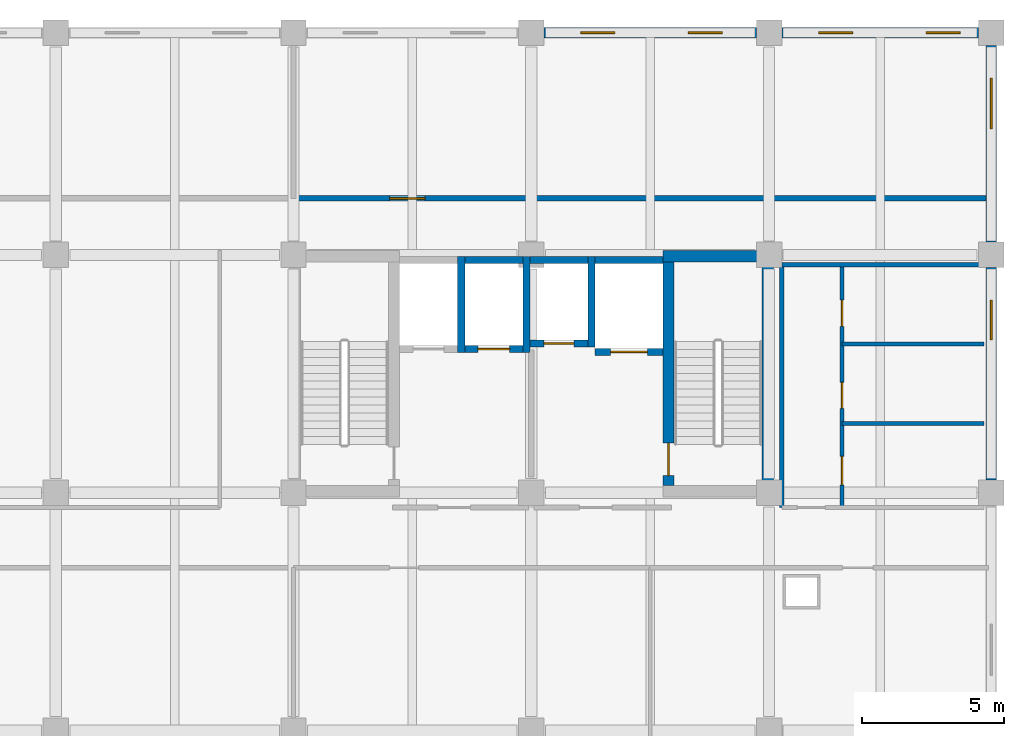
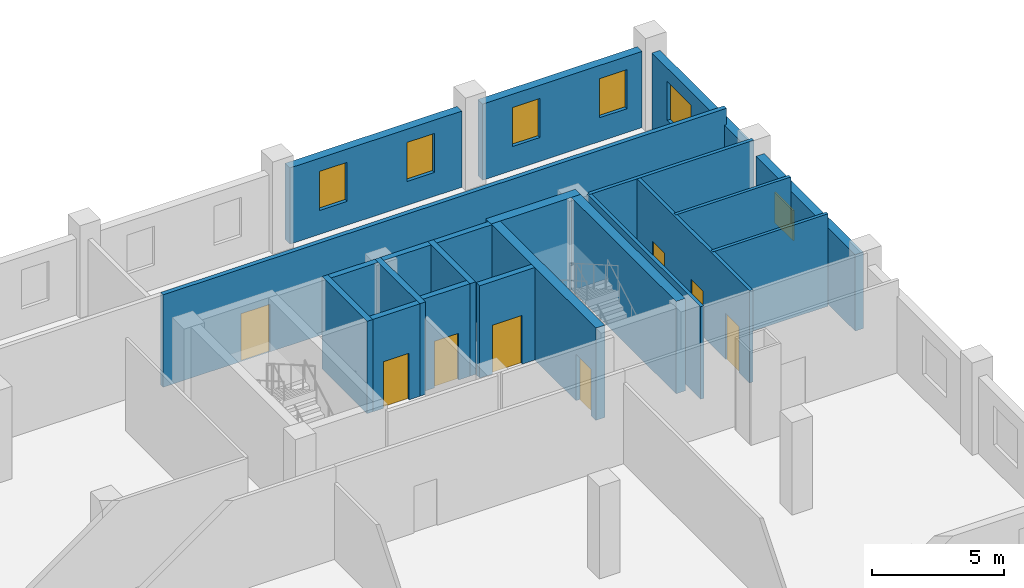
# One storey, part 33 of 38: 22 walls, 8 doors, 6 windows, 14 openings.
"""IFC4 building model written with IfcOpenShell, lengths in metres."""

from ifc_helpers import new_model, si_unit, direction, frame, frame_2d, origin, place, context, subcontext, project, spatial, rectangle, extrude, material, layer, layer_set, type_object, element, fill, save


model = new_model("IFC4")

# Units and contexts
model_context = context("Model", 3, precision=1e-05, world=origin(), true_north=direction((0.0, 1.0)))
body_context = subcontext(model_context, "Body", "Model", "MODEL_VIEW")
ifc_project = project(units=[si_unit("LENGTHUNIT", "METRE"), si_unit("AREAUNIT", "SQUARE_METRE"), si_unit("VOLUMEUNIT", "CUBIC_METRE"), si_unit("PLANEANGLEUNIT", "RADIAN"), si_unit("MASSUNIT", "GRAM", prefix="KILO")], contexts=[model_context])

# Site, building, storey
site_placement = place(None, origin())
site = spatial("IfcSite", under=ifc_project, at=site_placement, CompositionType="ELEMENT")
building_placement = place(site_placement, origin())
building = spatial("IfcBuilding", under=site, at=building_placement, Name="Brinegate Botanical Conservatory", CompositionType="ELEMENT")
storey_placement = place(building_placement, frame((0.0, 0.0, 10.199951171875)))
storey = spatial("IfcBuildingStorey", under=building, at=storey_placement, Name="L03", CompositionType="ELEMENT", Elevation=10.199951171875)

# Wall, openings, windows
ifc_material_1 = material(Name="Insulated Minnan red clay brick masonry", Category="masonry")
ifc_layer_1 = layer(ifc_material_1, 0.360107421875, Name="Insulated Minnan red clay brick masonry", Category="masonry")
ifc_layer_set_1 = layer_set([ifc_layer_1], Name="Insulated Minnan red clay brick masonry")
wall_type_1 = type_object("IfcWallType", Name="Wall_EW-360B", PredefinedType="STANDARD", material=ifc_layer_set_1)
wall_1_placement = place(storey_placement, frame((147.64990234375, 111.449951171875, 0.0), z_axis=(0.0, 0.0, 1.0), x_axis=(1.0, 0.0, 0.0)))
wall_1 = element("IfcWall", 1, at=wall_1_placement, inside=storey, type_object=wall_type_1, Name="Herbarium north insulated red-brick wall L03.4", PredefinedType="STANDARD", context=body_context, shape_type="SweptSolid", body=[
    extrude(rectangle(XDim=7.5, YDim=0.360107421875, at=frame_2d((3.75, 0.0))), origin(), (0.0, 0.0, 1.0), 3.510009765625),
])
opening_1_placement = place(wall_1_placement, frame((1.300048828125, 0.0, 1.10009765625)))
opening_1 = element("IfcOpeningElement", 2, at=opening_1_placement, cuts=wall_1, Name="Opening WN-06", PredefinedType="OPENING", context=body_context, shape_type="SweptSolid", body=[
    extrude(rectangle(XDim=1.199951171875, YDim=1.800048828125, at=frame_2d((0.60009765625, 0.89990234375))), frame((0.0, 0.18994140625, 0.0), z_axis=(0.0, -1.0, 0.0), x_axis=(1.0, 0.0, 0.0)), (0.0, 0.0, 1.0), 0.380126953125),
])
opening_2_placement = place(wall_1_placement, frame((5.10009765625, 0.0, 1.10009765625)))
opening_2 = element("IfcOpeningElement", 3, at=opening_2_placement, cuts=wall_1, Name="Opening WN-06", PredefinedType="OPENING", context=body_context, shape_type="SweptSolid", body=[
    extrude(rectangle(XDim=1.199951171875, YDim=1.800048828125, at=frame_2d((0.60009765625, 0.89990234375))), frame((0.0, 0.18994140625, 0.0), z_axis=(0.0, -1.0, 0.0), x_axis=(1.0, 0.0, 0.0)), (0.0, 0.0, 1.0), 0.380126953125),
])
ifc_material_2 = material(Name="Thermally broken aluminium-framed Low-E glass", Category="aluminium")
window_type_1 = type_object("IfcWindowType", Name="Win_WN-06", PartitioningType="SINGLE_PANEL", PredefinedType="WINDOW", material=ifc_material_2)
window_1_placement = place(opening_1_placement, origin())
window_1 = element("IfcWindow", 4, at=window_1_placement, inside=storey, type_object=window_type_1, Name="Herbarium north UV-filtered window L03.4A", OverallHeight=1.800048828125, OverallWidth=1.199951171875, PartitioningType="SINGLE_PANEL", PredefinedType="WINDOW", context=body_context, shape_type="SweptSolid", body=[
    extrude(rectangle(XDim=1.199951171875, YDim=1.800048828125, at=frame_2d((0.60009765625, 0.89990234375))), frame((0.0, 0.030029296875, 0.0), z_axis=(0.0, -1.0, 0.0), x_axis=(1.0, 0.0, 0.0)), (0.0, 0.0, 1.0), 0.06005859375),
])
fill(opening_1, window_1)
window_2_placement = place(opening_2_placement, origin())
window_2 = element("IfcWindow", 5, at=window_2_placement, inside=storey, type_object=window_type_1, Name="Herbarium north UV-filtered window L03.4B", OverallHeight=1.800048828125, OverallWidth=1.199951171875, PartitioningType="SINGLE_PANEL", PredefinedType="WINDOW", context=body_context, shape_type="SweptSolid", body=[
    extrude(rectangle(XDim=1.199951171875, YDim=1.800048828125, at=frame_2d((0.60009765625, 0.89990234375))), frame((0.0, 0.030029296875, 0.0), z_axis=(0.0, -1.0, 0.0), x_axis=(1.0, 0.0, 0.0)), (0.0, 0.0, 1.0), 0.06005859375),
])
fill(opening_2, window_2)

wall_2_placement = place(storey_placement, frame((156.050048828125, 111.449951171875, 0.0), z_axis=(0.0, 0.0, 1.0), x_axis=(1.0, 0.0, 0.0)))
wall_2 = element("IfcWall", 6, at=wall_2_placement, inside=storey, type_object=wall_type_1, Name="Herbarium north insulated red-brick wall L03.5", PredefinedType="STANDARD", context=body_context, shape_type="SweptSolid", body=[
    extrude(rectangle(XDim=6.949951171875, YDim=0.360107421875, at=frame_2d((3.47509765625, 0.0))), origin(), (0.0, 0.0, 1.0), 3.510009765625),
])
opening_3_placement = place(wall_2_placement, frame((1.300048828125, 0.0, 1.10009765625)))
opening_3 = element("IfcOpeningElement", 7, at=opening_3_placement, cuts=wall_2, Name="Opening WN-06", PredefinedType="OPENING", context=body_context, shape_type="SweptSolid", body=[
    extrude(rectangle(XDim=1.199951171875, YDim=1.800048828125, at=frame_2d((0.60009765625, 0.89990234375))), frame((0.0, 0.18994140625, 0.0), z_axis=(0.0, -1.0, 0.0), x_axis=(1.0, 0.0, 0.0)), (0.0, 0.0, 1.0), 0.380126953125),
])
opening_4_placement = place(wall_2_placement, frame((5.10009765625, 0.0, 1.10009765625)))
opening_4 = element("IfcOpeningElement", 8, at=opening_4_placement, cuts=wall_2, Name="Opening WN-06", PredefinedType="OPENING", context=body_context, shape_type="SweptSolid", body=[
    extrude(rectangle(XDim=1.199951171875, YDim=1.800048828125, at=frame_2d((0.60009765625, 0.89990234375))), frame((0.0, 0.18994140625, 0.0), z_axis=(0.0, -1.0, 0.0), x_axis=(1.0, 0.0, 0.0)), (0.0, 0.0, 1.0), 0.380126953125),
])
window_3_placement = place(opening_3_placement, origin())
window_3 = element("IfcWindow", 9, at=window_3_placement, inside=storey, type_object=window_type_1, Name="Herbarium north UV-filtered window L03.5A", OverallHeight=1.800048828125, OverallWidth=1.199951171875, PartitioningType="SINGLE_PANEL", PredefinedType="WINDOW", context=body_context, shape_type="SweptSolid", body=[
    extrude(rectangle(XDim=1.199951171875, YDim=1.800048828125, at=frame_2d((0.60009765625, 0.89990234375))), frame((0.0, 0.030029296875, 0.0), z_axis=(0.0, -1.0, 0.0), x_axis=(1.0, 0.0, 0.0)), (0.0, 0.0, 1.0), 0.06005859375),
])
fill(opening_3, window_3)
window_4_placement = place(opening_4_placement, origin())
window_4 = element("IfcWindow", 10, at=window_4_placement, inside=storey, type_object=window_type_1, Name="Herbarium north UV-filtered window L03.5B", OverallHeight=1.800048828125, OverallWidth=1.199951171875, PartitioningType="SINGLE_PANEL", PredefinedType="WINDOW", context=body_context, shape_type="SweptSolid", body=[
    extrude(rectangle(XDim=1.199951171875, YDim=1.800048828125, at=frame_2d((0.60009765625, 0.89990234375))), frame((0.0, 0.030029296875, 0.0), z_axis=(0.0, -1.0, 0.0), x_axis=(1.0, 0.0, 0.0)), (0.0, 0.0, 1.0), 0.06005859375),
])
fill(opening_4, window_4)

# Wall, opening, window
wall_3_placement = place(storey_placement, frame((163.449951171875, 103.14990234375, 0.0), z_axis=(0.0, 0.0, 1.0), x_axis=(0.0, -1.0, 0.0)))
wall_3 = element("IfcWall", 11, at=wall_3_placement, inside=storey, type_object=wall_type_1, Name="Tower east brick wall L03.3", PredefinedType="STANDARD", context=body_context, shape_type="SweptSolid", body=[
    extrude(rectangle(XDim=7.5, YDim=0.360107421875, at=frame_2d((3.75, 0.0))), origin(), (0.0, 0.0, 1.0), 3.510009765625),
])
opening_5_placement = place(wall_3_placement, frame((1.14990234375, 0.0, 1.10009765625)))
opening_5 = element("IfcOpeningElement", 12, at=opening_5_placement, cuts=wall_3, Name="Opening WN-16", PredefinedType="OPENING", context=body_context, shape_type="SweptSolid", body=[
    extrude(rectangle(XDim=1.39990234375, YDim=1.39990234375, at=frame_2d((0.699951171875, 0.699951171875))), frame((0.0, 0.18994140625, 0.0), z_axis=(0.0, -1.0, 0.0), x_axis=(1.0, 0.0, 0.0)), (0.0, 0.0, 1.0), 0.380126953125),
])
window_type_2 = type_object("IfcWindowType", Name="Win_WN-16", PartitioningType="SINGLE_PANEL", PredefinedType="WINDOW", material=ifc_material_2)
window_5_placement = place(opening_5_placement, origin())
window_5 = element("IfcWindow", 13, at=window_5_placement, inside=storey, type_object=window_type_2, Name="Tower east window L03.3", OverallHeight=1.39990234375, OverallWidth=1.39990234375, PartitioningType="SINGLE_PANEL", PredefinedType="WINDOW", context=body_context, shape_type="SweptSolid", body=[
    extrude(rectangle(XDim=1.39990234375, YDim=1.39990234375, at=frame_2d((0.699951171875, 0.699951171875))), frame((0.0, 0.030029296875, 0.0), z_axis=(0.0, -1.0, 0.0), x_axis=(1.0, 0.0, 0.0)), (0.0, 0.0, 1.0), 0.06005859375),
])
fill(opening_5, window_5)

wall_4_placement = place(storey_placement, frame((163.449951171875, 111.0, 0.0), z_axis=(0.0, 0.0, 1.0), x_axis=(0.0, -1.0, 0.0)))
wall_4 = element("IfcWall", 14, at=wall_4_placement, inside=storey, type_object=wall_type_1, Name="Tower east brick wall L03.4", PredefinedType="STANDARD", context=body_context, shape_type="SweptSolid", body=[
    extrude(rectangle(XDim=6.949951171875, YDim=0.360107421875, at=frame_2d((3.47509765625, 0.0))), origin(), (0.0, 0.0, 1.0), 3.510009765625),
])
opening_6_placement = place(wall_4_placement, frame((1.14990234375, 0.0, 1.10009765625)))
opening_6 = element("IfcOpeningElement", 15, at=opening_6_placement, cuts=wall_4, Name="Opening WN-05", PredefinedType="OPENING", context=body_context, shape_type="SweptSolid", body=[
    extrude(rectangle(XDim=1.800048828125, YDim=1.800048828125, at=frame_2d((0.89990234375, 0.89990234375))), frame((0.0, 0.18994140625, 0.0), z_axis=(0.0, -1.0, 0.0), x_axis=(1.0, 0.0, 0.0)), (0.0, 0.0, 1.0), 0.380126953125),
])
window_type_3 = type_object("IfcWindowType", Name="Win_WN-05", PartitioningType="DOUBLE_PANEL_VERTICAL", PredefinedType="WINDOW", material=ifc_material_2)
window_6_placement = place(opening_6_placement, origin())
window_6 = element("IfcWindow", 16, at=window_6_placement, inside=storey, type_object=window_type_3, Name="Tower east window L03.4", OverallHeight=1.800048828125, OverallWidth=1.800048828125, PartitioningType="DOUBLE_PANEL_VERTICAL", PredefinedType="WINDOW", context=body_context, shape_type="SweptSolid", body=[
    extrude(rectangle(XDim=1.800048828125, YDim=1.800048828125, at=frame_2d((0.89990234375, 0.89990234375))), frame((0.0, 0.030029296875, 0.0), z_axis=(0.0, -1.0, 0.0), x_axis=(1.0, 0.0, 0.0)), (0.0, 0.0, 1.0), 0.06005859375),
])
fill(opening_6, window_6)

# Walls
ifc_material_3 = material(Name="Gypsum-clad steel-stud partition", Category="steel")
ifc_layer_2 = layer(ifc_material_3, 0.135009765625, Name="Gypsum-clad steel-stud partition", Category="steel")
ifc_layer_set_2 = layer_set([ifc_layer_2], Name="Gypsum-clad steel-stud partition")
wall_type_2 = type_object("IfcWallType", Name="Wall_PW-135", PredefinedType="PARTITIONING", material=ifc_layer_set_2)
for number, where, z_axis, x_axis, name in (
    (17, (158.179931640625, 97.64990234375, 0.0), (0.0, 0.0, 1.0), (1.0, 0.0, 0.0), "Interior partition P-L03-WCD-9765"),
    (18, (158.179931640625, 100.449951171875, 0.0), (0.0, 0.0, 1.0), (1.0, 0.0, 0.0), "Interior partition P-L03-WCD-10045"),
):
    element("IfcWall", number, at=place(storey_placement, frame(where, z_axis=z_axis, x_axis=x_axis)), inside=storey, type_object=wall_type_2, Name=name, PredefinedType="PARTITIONING", context=body_context, shape_type="SweptSolid", body=[
        extrude(rectangle(XDim=5.02001953125, YDim=0.135009765625, at=frame_2d((2.510009765625, 0.0))), origin(), (0.0, 0.0, 1.0), 4.260009765625),
    ])

# Wall, openings, doors
ifc_material_4 = material(Name="Moisture-resistant cement-board partition", Category="gypsum")
ifc_layer_3 = layer(ifc_material_4, 0.14990234375, Name="Moisture-resistant cement-board partition", Category="gypsum")
ifc_layer_set_3 = layer_set([ifc_layer_3], Name="Moisture-resistant cement-board partition")
wall_type_3 = type_object("IfcWallType", Name="Wall_PW-150W", PredefinedType="PARTITIONING", material=ifc_layer_set_3)
wall_5_placement = place(storey_placement, frame((158.179931640625, 94.679931640625, 0.0), z_axis=(0.0, 0.0, 1.0), x_axis=(0.0, 1.0, 0.0)))
wall_5 = element("IfcWall", 19, at=wall_5_placement, inside=storey, type_object=wall_type_3, Name="Interior partition P-L03-WCW", PredefinedType="PARTITIONING", context=body_context, shape_type="SweptSolid", body=[
    extrude(rectangle(XDim=8.570068359375, YDim=0.14990234375, at=frame_2d((4.28515625, 0.0))), origin(), (0.0, 0.0, 1.0), 4.260009765625),
])
opening_7_placement = place(wall_5_placement, frame((0.800048828125, 0.0, 0.0)))
opening_7 = element("IfcOpeningElement", 20, at=opening_7_placement, cuts=wall_5, Name="Opening DR-ACC", PredefinedType="OPENING", context=body_context, shape_type="SweptSolid", body=[
    extrude(rectangle(XDim=1.0, YDim=2.1201171875, at=frame_2d((0.5, 1.06005859375))), frame((0.0, 0.0849609375, 0.0), z_axis=(0.0, -1.0, 0.0), x_axis=(1.0, 0.0, 0.0)), (0.0, 0.0, 1.0), 0.169921875),
])
opening_8_placement = place(wall_5_placement, frame((3.5, 0.0, 0.0)))
opening_8 = element("IfcOpeningElement", 21, at=opening_8_placement, cuts=wall_5, Name="Opening DR-04", PredefinedType="OPENING", context=body_context, shape_type="SweptSolid", body=[
    extrude(rectangle(XDim=0.919921875, YDim=2.10009765625, at=frame_2d((0.4599609375, 1.050048828125))), frame((0.0, 0.0849609375, 0.0), z_axis=(0.0, -1.0, 0.0), x_axis=(1.0, 0.0, 0.0)), (0.0, 0.0, 1.0), 0.169921875),
])
opening_9_placement = place(wall_5_placement, frame((6.39990234375, 0.0, 0.0)))
opening_9 = element("IfcOpeningElement", 22, at=opening_9_placement, cuts=wall_5, Name="Opening DR-04", PredefinedType="OPENING", context=body_context, shape_type="SweptSolid", body=[
    extrude(rectangle(XDim=0.919921875, YDim=2.10009765625, at=frame_2d((0.4599609375, 1.050048828125))), frame((0.0, 0.0849609375, 0.0), z_axis=(0.0, -1.0, 0.0), x_axis=(1.0, 0.0, 0.0)), (0.0, 0.0, 1.0), 0.169921875),
])
ifc_material_5 = material(Name="Moisture-resistant laminate timber leaf", Category="wood")
door_type_1 = type_object("IfcDoorType", Name="Door_DR-04", OperationType="NOTDEFINED", PredefinedType="DOOR", material=ifc_material_5)
door_1_placement = place(opening_8_placement, origin())
door_1 = element("IfcDoor", 23, at=door_1_placement, inside=storey, type_object=door_type_1, Name="DR-P-L03-WCW-2", OperationType="SINGLE_SWING_RIGHT", OverallHeight=2.10009765625, OverallWidth=0.919921875, PredefinedType="DOOR", context=body_context, shape_type="SweptSolid", body=[
    extrude(rectangle(XDim=0.919921875, YDim=2.10009765625, at=frame_2d((0.4599609375, 1.050048828125))), frame((0.0, 0.02490234375, 0.0), z_axis=(0.0, -1.0, 0.0), x_axis=(1.0, 0.0, 0.0)), (0.0, 0.0, 1.0), 0.050048828125),
])
fill(opening_8, door_1)
door_2_placement = place(opening_9_placement, origin())
door_2 = element("IfcDoor", 24, at=door_2_placement, inside=storey, type_object=door_type_1, Name="DR-P-L03-WCW-3", OperationType="SINGLE_SWING_LEFT", OverallHeight=2.10009765625, OverallWidth=0.919921875, PredefinedType="DOOR", context=body_context, shape_type="SweptSolid", body=[
    extrude(rectangle(XDim=0.919921875, YDim=2.10009765625, at=frame_2d((0.4599609375, 1.050048828125))), frame((0.0, 0.02490234375, 0.0), z_axis=(0.0, -1.0, 0.0), x_axis=(1.0, 0.0, 0.0)), (0.0, 0.0, 1.0), 0.050048828125),
])
fill(opening_9, door_2)
ifc_material_6 = material(Name="Moisture-resistant barrier-free timber leaf", Category="wood")
door_type_2 = type_object("IfcDoorType", Name="Door_DR-ACC", OperationType="NOTDEFINED", PredefinedType="DOOR", material=ifc_material_6)
door_3_placement = place(opening_7_placement, origin())
door_3 = element("IfcDoor", 25, at=door_3_placement, inside=storey, type_object=door_type_2, Name="DR-P-L03-WCW-1", OperationType="SINGLE_SWING_LEFT", OverallHeight=2.1201171875, OverallWidth=1.0, PredefinedType="DOOR", context=body_context, shape_type="SweptSolid", body=[
    extrude(rectangle(XDim=1.0, YDim=2.1201171875, at=frame_2d((0.5, 1.06005859375))), frame((0.0, 0.02490234375, 0.0), z_axis=(0.0, -1.0, 0.0), x_axis=(1.0, 0.0, 0.0)), (0.0, 0.0, 1.0), 0.050048828125),
])
fill(opening_7, door_3)

# Walls
wall_6_placement = place(storey_placement, frame((156.050048828125, 103.25, 0.0), z_axis=(0.0, 0.0, 1.0), x_axis=(1.0, 0.0, 0.0)))
element("IfcWall", 26, at=wall_6_placement, inside=storey, type_object=wall_type_3, Name="Interior partition P-L03-WCN", PredefinedType="PARTITIONING", context=body_context, shape_type="SweptSolid", body=[
    extrude(rectangle(XDim=7.14990234375, YDim=0.14990234375, at=frame_2d((3.574951171875, 0.0))), origin(), (0.0, 0.0, 1.0), 4.260009765625),
])
wall_7_placement = place(storey_placement, frame((156.050048828125, 94.679931640625, 0.0), z_axis=(0.0, 0.0, 1.0), x_axis=(0.0, 1.0, 0.0)))
element("IfcWall", 27, at=wall_7_placement, inside=storey, type_object=wall_type_3, Name="Interior partition P-L03-WCWW", PredefinedType="PARTITIONING", context=body_context, shape_type="SweptSolid", body=[
    extrude(rectangle(XDim=8.570068359375, YDim=0.14990234375, at=frame_2d((4.28515625, 0.0))), origin(), (0.0, 0.0, 1.0), 4.260009765625),
])

# Wall, opening, door
ifc_material_7 = material(Name="Autoclaved aerated concrete C40/50 blockwork", Category="masonry")
ifc_layer_4 = layer(ifc_material_7, 0.18994140625, Name="Autoclaved aerated concrete C40/50 blockwork", Category="masonry")
ifc_layer_set_4 = layer_set([ifc_layer_4], Name="Autoclaved aerated concrete C40/50 blockwork")
wall_type_4 = type_object("IfcWallType", Name="Wall_PW-190F", PredefinedType="SOLIDWALL", material=ifc_layer_set_4)
wall_8_placement = place(storey_placement, frame((138.800048828125, 105.60009765625, 0.0), z_axis=(0.0, 0.0, 1.0), x_axis=(1.0, 0.0, 0.0)))
wall_8 = element("IfcWall", 28, at=wall_8_placement, inside=storey, type_object=wall_type_4, Name="Interior partition P-L03-NB-N2", PredefinedType="SOLIDWALL", context=body_context, shape_type="SweptSolid", body=[
    extrude(rectangle(XDim=24.550048828125, YDim=0.18994140625, at=frame_2d((12.27490234375, 0.0))), origin(), (0.0, 0.0, 1.0), 4.260009765625),
])
opening_10_placement = place(wall_8_placement, frame((3.39990234375, 0.0, 0.0)))
opening_10 = element("IfcOpeningElement", 29, at=opening_10_placement, cuts=wall_8, Name="Opening FD-A1", PredefinedType="OPENING", context=body_context, shape_type="SweptSolid", body=[
    extrude(rectangle(XDim=1.25, YDim=2.199951171875, at=frame_2d((0.625, 1.10009765625))), frame((0.0, 0.10498046875, 0.0), z_axis=(0.0, -1.0, 0.0), x_axis=(1.0, 0.0, 0.0)), (0.0, 0.0, 1.0), 0.2099609375),
])
ifc_material_8 = material(Name="Steel fire-rated assembly", Category="steel")
door_type_3 = type_object("IfcDoorType", Name="Door_FD-A1", OperationType="NOTDEFINED", PredefinedType="DOOR", material=ifc_material_8)
door_4_placement = place(opening_10_placement, origin())
door_4 = element("IfcDoor", 30, at=door_4_placement, inside=storey, type_object=door_type_3, Name="DR-P-L03-NB-N2-1", OperationType="SINGLE_SWING_RIGHT", OverallHeight=2.199951171875, OverallWidth=1.25, PredefinedType="DOOR", context=body_context, shape_type="SweptSolid", body=[
    extrude(rectangle(XDim=1.25, YDim=2.199951171875, at=frame_2d((0.625, 1.10009765625))), frame((0.0, 0.02490234375, 0.0), z_axis=(0.0, -1.0, 0.0), x_axis=(1.0, 0.0, 0.0)), (0.0, 0.0, 1.0), 0.050048828125),
])
fill(opening_10, door_4)

# Wall
ifc_material_9 = material(Name="Concrete C40/50", Category="concrete")
ifc_layer_5 = layer(ifc_material_9, 0.25, Name="Concrete C40/50", Category="concrete")
ifc_layer_set_5 = layer_set([ifc_layer_5], Name="Concrete C40/50")
wall_type_5 = type_object("IfcWallType", Name="Wall_SW-250", PredefinedType="SHEAR", material=ifc_layer_set_5)
wall_9_placement = place(storey_placement, frame((144.72509765625, 100.14990234375, 0.0), z_axis=(0.0, 0.0, 1.0), x_axis=(0.0, 1.0, 0.0)))
element("IfcWall", 31, at=wall_9_placement, inside=storey, type_object=wall_type_5, Name="Lift shaft LF1 shear wall L03 E", PredefinedType="SHEAR", context=body_context, shape_type="SweptSolid", body=[
    extrude(rectangle(XDim=3.400146484375, YDim=0.25, at=frame_2d((1.7001953125, 0.0))), origin(), (0.0, 0.0, 1.0), 4.260009765625),
])

# Wall, opening, door
wall_10_placement = place(storey_placement, frame((144.85009765625, 100.27490234375, 0.0), z_axis=(0.0, 0.0, 1.0), x_axis=(1.0, 0.0, 0.0)))
wall_10 = element("IfcWall", 32, at=wall_10_placement, inside=storey, type_object=wall_type_5, Name="Lift shaft LF2 shear wall L03 S", PredefinedType="SHEAR", context=body_context, shape_type="SweptSolid", body=[
    extrude(rectangle(XDim=2.0498046875, YDim=0.25, at=frame_2d((1.02490234375, 0.0))), origin(), (0.0, 0.0, 1.0), 4.260009765625),
])
opening_11_placement = place(wall_10_placement, frame((0.465087890625, 0.0, 0.0)))
opening_11 = element("IfcOpeningElement", 33, at=opening_11_placement, cuts=wall_10, Name="Opening LD-02", PredefinedType="OPENING", context=body_context, shape_type="SweptSolid", body=[
    extrude(rectangle(XDim=1.1201171875, YDim=2.14990234375, at=frame_2d((0.56005859375, 1.074951171875))), frame((0.0, 0.135009765625, 0.0), z_axis=(0.0, -1.0, 0.0), x_axis=(1.0, 0.0, 0.0)), (0.0, 0.0, 1.0), 0.27001953125),
])
ifc_material_10 = material(Name="Brushed stainless steel S355 landing door", Category="steel")
door_type_4 = type_object("IfcDoorType", Name="Door_LD-02", OperationType="SLIDING_TO_LEFT", PredefinedType="DOOR", material=ifc_material_10)
door_5_placement = place(opening_11_placement, origin())
door_5 = element("IfcDoor", 34, at=door_5_placement, inside=storey, type_object=door_type_4, Name="LD-LF2-L03", OperationType="SLIDING_TO_LEFT", OverallHeight=2.14990234375, OverallWidth=1.1201171875, PredefinedType="DOOR", context=body_context, shape_type="SweptSolid", body=[
    extrude(rectangle(XDim=1.1201171875, YDim=2.14990234375, at=frame_2d((0.56005859375, 1.074951171875))), frame((0.0, 0.02490234375, 0.0), z_axis=(0.0, -1.0, 0.0), x_axis=(1.0, 0.0, 0.0)), (0.0, 0.0, 1.0), 0.050048828125),
])
fill(opening_11, door_5)

# Walls
wall_11_placement = place(storey_placement, frame((144.85009765625, 103.425048828125, 0.0), z_axis=(0.0, 0.0, 1.0), x_axis=(1.0, 0.0, 0.0)))
element("IfcWall", 35, at=wall_11_placement, inside=storey, type_object=wall_type_5, Name="Lift shaft LF2 shear wall L03 N", PredefinedType="SHEAR", context=body_context, shape_type="SweptSolid", body=[
    extrude(rectangle(XDim=2.0498046875, YDim=0.25, at=frame_2d((1.02490234375, 0.0))), origin(), (0.0, 0.0, 1.0), 4.260009765625),
])
wall_12_placement = place(storey_placement, frame((147.02490234375, 100.14990234375, 0.0), z_axis=(0.0, 0.0, 1.0), x_axis=(0.0, 1.0, 0.0)))
element("IfcWall", 36, at=wall_12_placement, inside=storey, type_object=wall_type_5, Name="Lift shaft LF2 shear wall L03 E", PredefinedType="SHEAR", context=body_context, shape_type="SweptSolid", body=[
    extrude(rectangle(XDim=3.400146484375, YDim=0.25, at=frame_2d((1.7001953125, 0.0))), origin(), (0.0, 0.0, 1.0), 4.260009765625),
])

# Wall, opening, door
wall_13_placement = place(storey_placement, frame((147.14990234375, 100.47509765625, 0.0), z_axis=(0.0, 0.0, 1.0), x_axis=(1.0, 0.0, 0.0)))
wall_13 = element("IfcWall", 37, at=wall_13_placement, inside=storey, type_object=wall_type_5, Name="Lift shaft LF3 shear wall L03 S", PredefinedType="SHEAR", context=body_context, shape_type="SweptSolid", body=[
    extrude(rectangle(XDim=2.050048828125, YDim=0.25, at=frame_2d((1.02490234375, 0.0))), origin(), (0.0, 0.0, 1.0), 4.260009765625),
])
opening_12_placement = place(wall_13_placement, frame((0.4951171875, 0.0, 0.0)))
opening_12 = element("IfcOpeningElement", 38, at=opening_12_placement, cuts=wall_13, Name="Opening LD-03", PredefinedType="OPENING", context=body_context, shape_type="SweptSolid", body=[
    extrude(rectangle(XDim=1.06005859375, YDim=2.14990234375, at=frame_2d((0.530029296875, 1.074951171875))), frame((0.0, 0.135009765625, 0.0), z_axis=(0.0, -1.0, 0.0), x_axis=(1.0, 0.0, 0.0)), (0.0, 0.0, 1.0), 0.27001953125),
])
door_type_5 = type_object("IfcDoorType", Name="Door_LD-03", OperationType="SLIDING_TO_LEFT", PredefinedType="DOOR", material=ifc_material_10)
door_6_placement = place(opening_12_placement, origin())
door_6 = element("IfcDoor", 39, at=door_6_placement, inside=storey, type_object=door_type_5, Name="LD-LF3-L03", OperationType="SLIDING_TO_LEFT", OverallHeight=2.14990234375, OverallWidth=1.06005859375, PredefinedType="DOOR", context=body_context, shape_type="SweptSolid", body=[
    extrude(rectangle(XDim=1.06005859375, YDim=2.14990234375, at=frame_2d((0.530029296875, 1.074951171875))), frame((0.0, 0.02490234375, 0.0), z_axis=(0.0, -1.0, 0.0), x_axis=(1.0, 0.0, 0.0)), (0.0, 0.0, 1.0), 0.050048828125),
])
fill(opening_12, door_6)

# Walls
wall_14_placement = place(storey_placement, frame((147.14990234375, 103.425048828125, 0.0), z_axis=(0.0, 0.0, 1.0), x_axis=(1.0, 0.0, 0.0)))
element("IfcWall", 40, at=wall_14_placement, inside=storey, type_object=wall_type_5, Name="Lift shaft LF3 shear wall L03 N", PredefinedType="SHEAR", context=body_context, shape_type="SweptSolid", body=[
    extrude(rectangle(XDim=2.050048828125, YDim=0.25, at=frame_2d((1.02490234375, 0.0))), origin(), (0.0, 0.0, 1.0), 4.260009765625),
])
wall_15_placement = place(storey_placement, frame((149.324951171875, 100.35009765625, 0.0), z_axis=(0.0, 0.0, 1.0), x_axis=(0.0, 1.0, 0.0)))
element("IfcWall", 41, at=wall_15_placement, inside=storey, type_object=wall_type_5, Name="Lift shaft LF3 shear wall L03 E", PredefinedType="SHEAR", context=body_context, shape_type="SweptSolid", body=[
    extrude(rectangle(XDim=3.199951171875, YDim=0.25, at=frame_2d((1.60009765625, 0.0))), origin(), (0.0, 0.0, 1.0), 4.260009765625),
])

# Wall, opening, door
wall_16_placement = place(storey_placement, frame((149.449951171875, 100.175048828125, 0.0), z_axis=(0.0, 0.0, 1.0), x_axis=(1.0, 0.0, 0.0)))
wall_16 = element("IfcWall", 42, at=wall_16_placement, inside=storey, type_object=wall_type_5, Name="Lift shaft LF4 shear wall L03 S", PredefinedType="SHEAR", context=body_context, shape_type="SweptSolid", body=[
    extrude(rectangle(XDim=2.400146484375, YDim=0.25, at=frame_2d((1.2001953125, 0.0))), origin(), (0.0, 0.0, 1.0), 4.260009765625),
])
opening_13_placement = place(wall_16_placement, frame((0.550048828125, 0.0, 0.0)))
opening_13 = element("IfcOpeningElement", 43, at=opening_13_placement, cuts=wall_16, Name="Opening LD-04", PredefinedType="OPENING", context=body_context, shape_type="SweptSolid", body=[
    extrude(rectangle(XDim=1.300048828125, YDim=2.25, at=frame_2d((0.64990234375, 1.125))), frame((0.0, 0.135009765625, 0.0), z_axis=(0.0, -1.0, 0.0), x_axis=(1.0, 0.0, 0.0)), (0.0, 0.0, 1.0), 0.27001953125),
])
door_type_6 = type_object("IfcDoorType", Name="Door_LD-04", OperationType="SLIDING_TO_LEFT", PredefinedType="DOOR", material=ifc_material_10)
door_7_placement = place(opening_13_placement, origin())
door_7 = element("IfcDoor", 44, at=door_7_placement, inside=storey, type_object=door_type_6, Name="LD-LF4-L03", OperationType="SLIDING_TO_LEFT", OverallHeight=2.25, OverallWidth=1.300048828125, PredefinedType="DOOR", context=body_context, shape_type="SweptSolid", body=[
    extrude(rectangle(XDim=1.300048828125, YDim=2.25, at=frame_2d((0.64990234375, 1.125))), frame((0.0, 0.02490234375, 0.0), z_axis=(0.0, -1.0, 0.0), x_axis=(1.0, 0.0, 0.0)), (0.0, 0.0, 1.0), 0.050048828125),
])
fill(opening_13, door_7)

# Walls
wall_17_placement = place(storey_placement, frame((149.449951171875, 103.425048828125, 0.0), z_axis=(0.0, 0.0, 1.0), x_axis=(1.0, 0.0, 0.0)))
element("IfcWall", 45, at=wall_17_placement, inside=storey, type_object=wall_type_5, Name="Lift shaft LF4 shear wall L03 N", PredefinedType="SHEAR", context=body_context, shape_type="SweptSolid", body=[
    extrude(rectangle(XDim=2.400146484375, YDim=0.25, at=frame_2d((1.2001953125, 0.0))), origin(), (0.0, 0.0, 1.0), 4.260009765625),
])
ifc_material_11 = material(Name="Concrete C50/60", Category="concrete")
ifc_layer_6 = layer(ifc_material_11, 0.39990234375, Name="Concrete C50/60", Category="concrete")
ifc_layer_set_6 = layer_set([ifc_layer_6], Name="Concrete C50/60")
wall_type_6 = type_object("IfcWallType", Name="Wall_SW-400", PredefinedType="SHEAR", material=ifc_layer_set_6)
wall_18_placement = place(storey_placement, frame((151.85009765625, 103.550048828125, 0.0), z_axis=(0.0, 0.0, 1.0), x_axis=(1.0, 0.0, 0.0)))
element("IfcWall", 46, at=wall_18_placement, inside=storey, type_object=wall_type_6, Name="Stairwell ST2 shear wall L03 N", PredefinedType="SHEAR", context=body_context, shape_type="SweptSolid", body=[
    extrude(rectangle(XDim=3.89990234375, YDim=0.39990234375, at=frame_2d((1.949951171875, 0.0))), origin(), (0.0, 0.0, 1.0), 4.260009765625),
])

# Wall, opening, door
wall_19_placement = place(storey_placement, frame((152.050048828125, 95.449951171875, 0.0), z_axis=(0.0, 0.0, 1.0), x_axis=(0.0, 1.0, 0.0)))
wall_19 = element("IfcWall", 47, at=wall_19_placement, inside=storey, type_object=wall_type_6, Name="Stairwell ST2 shear wall L03 W", PredefinedType="SHEAR", context=body_context, shape_type="SweptSolid", body=[
    extrude(rectangle(XDim=7.900146484375, YDim=0.39990234375, at=frame_2d((3.9501953125, 0.0))), origin(), (0.0, 0.0, 1.0), 4.260009765625),
])
opening_14_placement = place(wall_19_placement, frame((0.35009765625, 0.0, 0.0)))
opening_14 = element("IfcOpeningElement", 48, at=opening_14_placement, cuts=wall_19, Name="Opening FD-B1", PredefinedType="OPENING", context=body_context, shape_type="SweptSolid", body=[
    extrude(rectangle(XDim=1.14990234375, YDim=2.14990234375, at=frame_2d((0.574951171875, 1.074951171875))), frame((0.0, 0.2099609375, 0.0), z_axis=(0.0, -1.0, 0.0), x_axis=(1.0, 0.0, 0.0)), (0.0, 0.0, 1.0), 0.419921875),
])
ifc_material_12 = material(Name="Steel smoke-proof fire door assembly", Category="steel")
door_type_7 = type_object("IfcDoorType", Name="Door_FD-B1", OperationType="NOTDEFINED", PredefinedType="DOOR", material=ifc_material_12)
door_8_placement = place(opening_14_placement, origin())
door_8 = element("IfcDoor", 49, at=door_8_placement, inside=storey, type_object=door_type_7, Name="DR-ST-ST2-L03", OperationType="SINGLE_SWING_LEFT", OverallHeight=2.14990234375, OverallWidth=1.14990234375, PredefinedType="DOOR", context=body_context, shape_type="SweptSolid", body=[
    extrude(rectangle(XDim=1.14990234375, YDim=2.14990234375, at=frame_2d((0.574951171875, 1.074951171875))), frame((0.0, 0.02490234375, 0.0), z_axis=(0.0, -1.0, 0.0), x_axis=(1.0, 0.0, 0.0)), (0.0, 0.0, 1.0), 0.050048828125),
])
fill(opening_14, door_8)

# Wall
wall_20_placement = place(storey_placement, frame((155.550048828125, 95.449951171875, 0.0), z_axis=(0.0, 0.0, 1.0), x_axis=(0.0, 1.0, 0.0)))
element("IfcWall", 50, at=wall_20_placement, inside=storey, type_object=wall_type_6, Name="Stairwell ST2 shear wall L03 E", PredefinedType="SHEAR", context=body_context, shape_type="SweptSolid", body=[
    extrude(rectangle(XDim=7.900146484375, YDim=0.39990234375, at=frame_2d((3.9501953125, 0.0))), origin(), (0.0, 0.0, 1.0), 4.260009765625),
])

save(model, "model.ifc")
